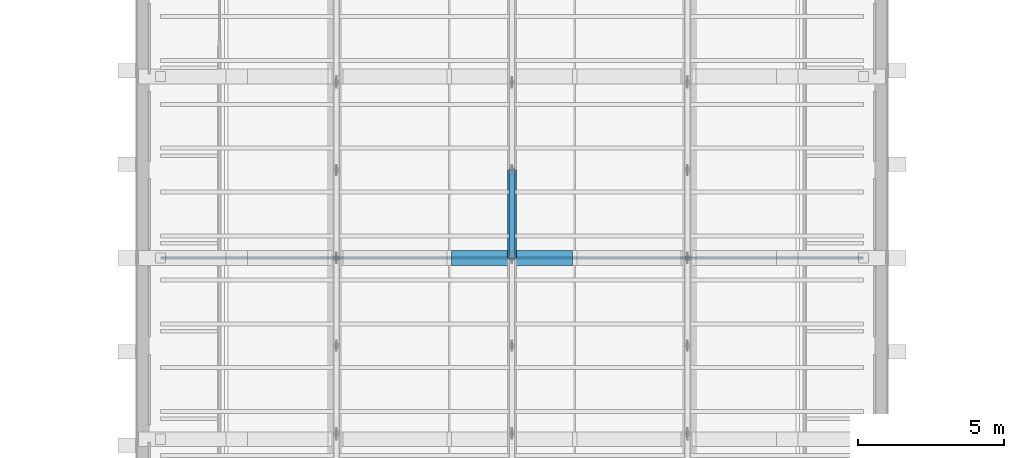
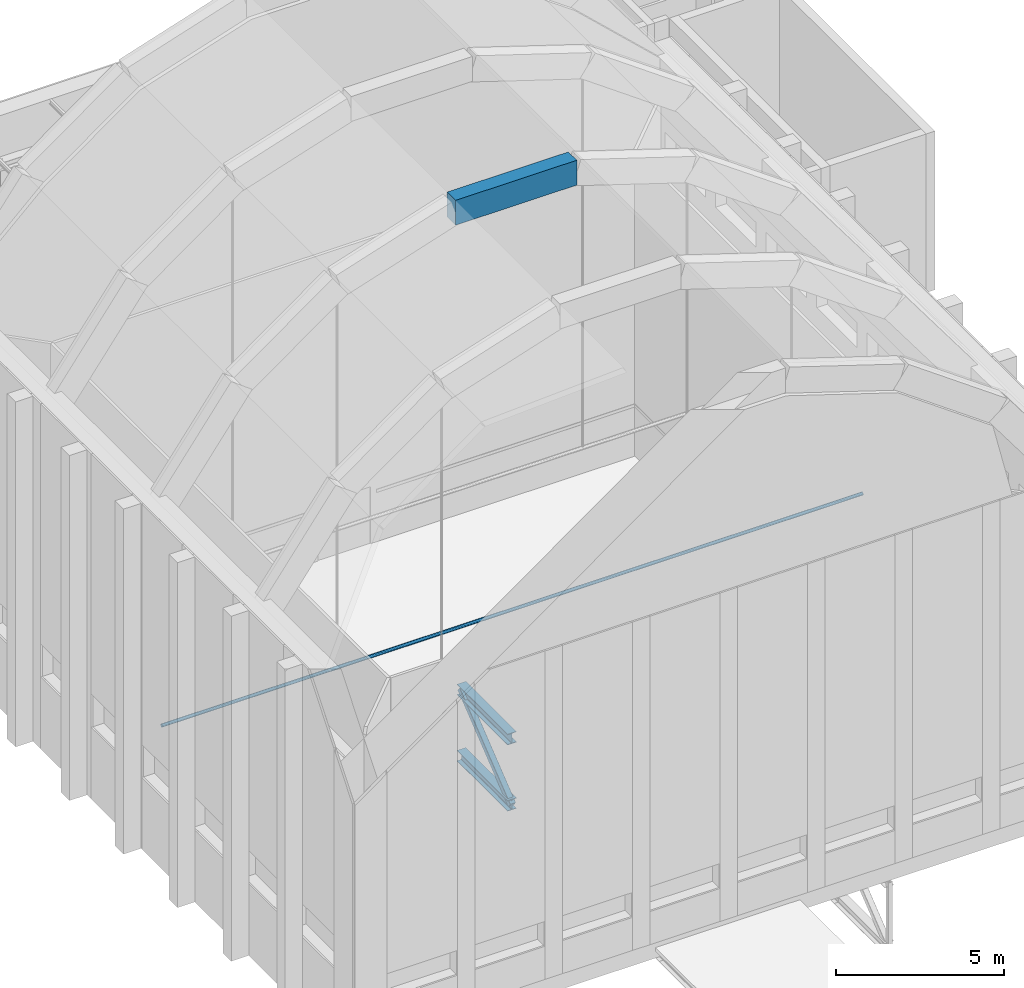
# One storey, part 18 of 55: 4 members, 1 beam.
"""IFC4 building model written with IfcOpenShell, lengths in metres."""

from ifc_helpers import new_model, si_unit, direction, frame, origin, origin_2d, place, context, subcontext, project, spatial, rectangle, hollow_rectangle, hollow_circle, i_section, extrude, material, material_profile, profile_set, type_object, element, save


model = new_model("IFC4")

# Units and contexts
model_context = context("Model", 3, precision=1e-05, world=origin(), true_north=direction((0.0, 1.0)))
body_context = subcontext(model_context, "Body", "Model", "MODEL_VIEW")
ifc_project = project(units=[si_unit("LENGTHUNIT", "METRE"), si_unit("AREAUNIT", "SQUARE_METRE"), si_unit("VOLUMEUNIT", "CUBIC_METRE"), si_unit("PLANEANGLEUNIT", "RADIAN"), si_unit("MASSUNIT", "GRAM", prefix="KILO")], contexts=[model_context])

# Site, building, storey
site_placement = place(None, origin())
site = spatial("IfcSite", under=ifc_project, at=site_placement, CompositionType="ELEMENT")
building_placement = place(site_placement, origin())
building = spatial("IfcBuilding", under=site, at=building_placement, Name="Lunette Opera House", CompositionType="ELEMENT")
storey_placement = place(building_placement, frame((0.0, 0.0, 34.0)))
storey = spatial("IfcBuildingStorey", under=building, at=storey_placement, Name="L06", CompositionType="ELEMENT", Elevation=34.0)

# Beam
ifc_material_1 = material(Name="Concrete C40/50", Category="concrete")
ifc_material_profile_1 = material_profile(ifc_material_1, rectangle(XDim=0.5, YDim=0.89990234375, at=origin_2d()), Name="ARCH BEAM 500X900")
ifc_profile_set_1 = profile_set([ifc_material_profile_1], Name="Concrete C40/50")
beam_type = type_object("IfcBeamType", Name="ARCH BEAM 500X900", PredefinedType="BEAM", material=ifc_profile_set_1)
beam_placement = place(storey_placement, frame((93.924072265625, 108.0, 19.251953125), z_axis=(1.0, 0.0, 0.0), x_axis=(0.0, 1.0, 0.0)))
element("IfcBeam", 1, at=beam_placement, inside=storey, type_object=beam_type, Name="beam-ST-L06-EAT3-4", PredefinedType="BEAM", context=body_context, shape_type="SweptSolid", body=[
    extrude(rectangle(XDim=0.5, YDim=0.89990234375, at=origin_2d()), origin(), (0.0, 0.0, 1.0), 4.15185546875),
])

# Members
ifc_material_2 = material(Name="Steel S355", Category="steel")
ifc_material_profile_2 = material_profile(ifc_material_2, i_section(OverallWidth=0.300048828125, OverallDepth=0.389892578125, WebThickness=0.010986328125, FlangeThickness=0.01904296875, FilletRadius=0.027099609375, at=origin_2d()), Name="HEA 400")
ifc_profile_set_2 = profile_set([ifc_material_profile_2], Name="Steel S355")
member_type_1 = type_object("IfcMemberType", Name="CHORD HEA 400", PredefinedType="CHORD", material=ifc_profile_set_2)
for number, where, z_axis, x_axis, name in (
    (2, (96.0, 108.0, -0.6650390625), (0.0, 1.0, 0.0), (-1.0, 0.0, 0.0), "mem-ST-L06-ST-TR02-TC5"),
    (3, (96.0, 108.0, -3.06494140625), (0.0, 1.0, 0.0), (-1.0, 0.0, 0.0), "mem-ST-L06-ST-TR02-BC5"),
):
    element("IfcMember", number, at=place(storey_placement, frame(where, z_axis=z_axis, x_axis=x_axis)), inside=storey, type_object=member_type_1, Name=name, PredefinedType="CHORD", context=body_context, shape_type="SweptSolid", body=[
        extrude(i_section(OverallWidth=0.300048828125, OverallDepth=0.389892578125, WebThickness=0.010986328125, FlangeThickness=0.01904296875, FilletRadius=0.027099609375, at=origin_2d()), origin(), (0.0, 0.0, 1.0), 3.0),
    ])
ifc_material_3 = material(Name="Steel S355", Category="steel")
ifc_material_profile_3 = material_profile(ifc_material_3, hollow_rectangle(XDim=0.199951171875, YDim=0.199951171875, WallThickness=0.008056640625, InnerFilletRadius=0.008056640625, OuterFilletRadius=0.01611328125, at=origin_2d()), Name="RHS 200X200X8")
ifc_profile_set_3 = profile_set([ifc_material_profile_3], Name="Steel S355")
member_type_2 = type_object("IfcMemberType", Name="DIAGONAL RHS 200X200X8", PredefinedType="BRACE", material=ifc_profile_set_3)
member_1_placement = place(storey_placement, frame((96.0, 108.0, -3.06494140625), z_axis=(0.0, 0.780881208953, 0.624679547852), x_axis=(-1.0, 0.0, 0.0)))
element("IfcMember", 4, at=member_1_placement, inside=storey, type_object=member_type_2, Name="mem-ST-L06-ST-TR02-TD5", PredefinedType="BRACE", context=body_context, shape_type="SweptSolid", body=[
    extrude(hollow_rectangle(XDim=0.199951171875, YDim=0.199951171875, WallThickness=0.008056640625, InnerFilletRadius=0.008056640625, OuterFilletRadius=0.01611328125, at=origin_2d()), origin(), (0.0, 0.0, 1.0), 3.841796875),
])
ifc_material_4 = material(Name="Steel S355", Category="steel")
ifc_material_profile_4 = material_profile(ifc_material_4, hollow_circle(Radius=0.05712890625, WallThickness=0.006103515625, at=origin_2d()), Name="CHS 114.3X6")
ifc_profile_set_4 = profile_set([ifc_material_profile_4], Name="Steel S355")
member_type_3 = type_object("IfcMemberType", Name="TIE CHS 114.3X6", PredefinedType="STRUT", material=ifc_profile_set_4)
member_2_placement = place(storey_placement, frame((83.989990234375, 108.0, 4.0), z_axis=(1.0, 0.0, 0.0), x_axis=(0.0, 1.0, 0.0)))
element("IfcMember", 5, at=member_2_placement, inside=storey, type_object=member_type_3, Name="mem-ST-L06-TT3", PredefinedType="STRUT", context=body_context, shape_type="SweptSolid", body=[
    extrude(hollow_circle(Radius=0.05712890625, WallThickness=0.006103515625, at=origin_2d()), origin(), (0.0, 0.0, 1.0), 24.02001953125),
])

save(model, "model.ifc")
